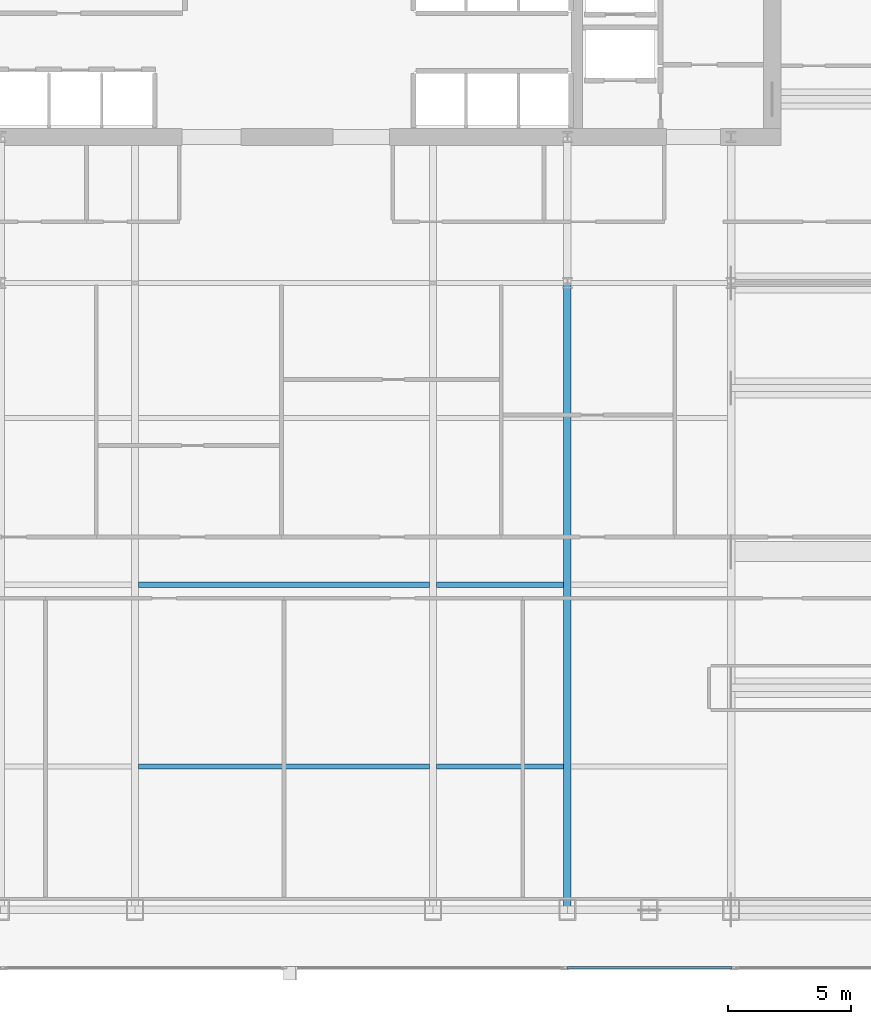
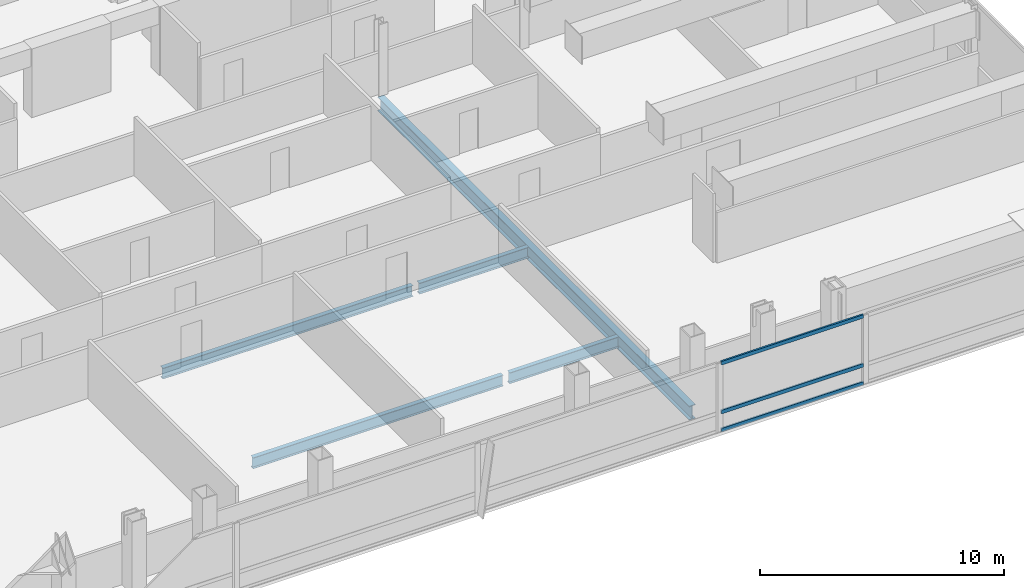
# One storey, part 13 of 30: 5 beams, 3 members, 1 element without a shape of its own.
"""IFC4 building model written with IfcOpenShell, lengths in metres."""

from ifc_helpers import new_model, si_unit, direction, frame, origin, origin_2d, place, context, subcontext, project, spatial, hollow_rectangle, i_section, extrude, material, material_profile, profile_set, type_object, element, aggregate, save


model = new_model("IFC4")

# Units and contexts
model_context = context("Model", 3, precision=1e-05, world=origin(), true_north=direction((0.0, 1.0)))
body_context = subcontext(model_context, "Body", "Model", "MODEL_VIEW")
ifc_project = project(units=[si_unit("LENGTHUNIT", "METRE"), si_unit("AREAUNIT", "SQUARE_METRE"), si_unit("VOLUMEUNIT", "CUBIC_METRE"), si_unit("PLANEANGLEUNIT", "RADIAN"), si_unit("MASSUNIT", "GRAM", prefix="KILO")], contexts=[model_context])

# Site, building, storey
site_placement = place(None, origin())
site = spatial("IfcSite", under=ifc_project, at=site_placement, CompositionType="ELEMENT")
building_placement = place(site_placement, origin())
building = spatial("IfcBuilding", under=site, at=building_placement, Name="Khoronbel Lancet Exchange", CompositionType="ELEMENT")
storey_placement = place(building_placement, frame((0.0, 0.0, 132.60009765625)))
storey = spatial("IfcBuildingStorey", under=building, at=storey_placement, Name="L32", CompositionType="ELEMENT", Elevation=132.60009765625)

# Beams
ifc_material_1 = material(Name="Steel S355", Category="steel")
ifc_material_profile_1 = material_profile(ifc_material_1, i_section(OverallWidth=0.300048828125, OverallDepth=0.699951171875, WebThickness=0.01708984375, FlangeThickness=0.031982421875, at=origin_2d()), Name="HEB 700")
ifc_profile_set_1 = profile_set([ifc_material_profile_1], Name="Steel S355")
beam_type_1 = type_object("IfcBeamType", Name="BM-BG3", PredefinedType="BEAM", material=ifc_profile_set_1)
beam_1_placement = place(storey_placement, frame((48.0, 10.14990234375, -0.510009765625), z_axis=(0.0, 1.0, 0.0), x_axis=(-1.0, 0.0, 0.0)))
element("IfcBeam", 1, at=beam_1_placement, inside=storey, type_object=beam_type_1, Name="Level L32 south primary girder GS5", PredefinedType="BEAM", context=body_context, shape_type="SweptSolid", body=[
    extrude(i_section(OverallWidth=0.300048828125, OverallDepth=0.699951171875, WebThickness=0.01708984375, FlangeThickness=0.031982421875, at=origin_2d()), origin(), (0.0, 0.0, 1.0), 25.550048828125),
])
ifc_material_profile_2 = material_profile(ifc_material_1, i_section(OverallWidth=0.2099609375, OverallDepth=0.550048828125, WebThickness=0.010986328125, FlangeThickness=0.01708984375, at=origin_2d()), Name="IPE 550")
ifc_profile_set_2 = profile_set([ifc_material_profile_2], Name="Steel S355")
beam_type_2 = type_object("IfcBeamType", Name="BM-BJ2", PredefinedType="JOIST", material=ifc_profile_set_2)
beam_2_placement = place(storey_placement, frame((30.52490234375, 16.0, -0.43505859375), z_axis=(1.0, 0.0, 0.0), x_axis=(0.0, 1.0, 0.0)))
element("IfcBeam", 2, at=beam_2_placement, inside=storey, type_object=beam_type_2, Name="Level L32 secondary composite joist J03", PredefinedType="JOIST", context=body_context, shape_type="SweptSolid", body=[
    extrude(i_section(OverallWidth=0.2099609375, OverallDepth=0.550048828125, WebThickness=0.010986328125, FlangeThickness=0.01708984375, at=origin_2d()), origin(), (0.0, 0.0, 1.0), 11.85009765625),
])
beam_3_placement = place(storey_placement, frame((42.675048828125, 16.0, -0.43505859375), z_axis=(1.0, 0.0, 0.0), x_axis=(0.0, 1.0, 0.0)))
element("IfcBeam", 3, at=beam_3_placement, inside=storey, type_object=beam_type_2, Name="Level L32 secondary composite joist J04", PredefinedType="JOIST", context=body_context, shape_type="SweptSolid", body=[
    extrude(i_section(OverallWidth=0.2099609375, OverallDepth=0.550048828125, WebThickness=0.010986328125, FlangeThickness=0.01708984375, at=origin_2d()), origin(), (0.0, 0.0, 1.0), 5.175048828125),
])
beam_4_placement = place(storey_placement, frame((30.52490234375, 23.39990234375, -0.43505859375), z_axis=(1.0, 0.0, 0.0), x_axis=(0.0, 1.0, 0.0)))
element("IfcBeam", 4, at=beam_4_placement, inside=storey, type_object=beam_type_2, Name="Level L32 secondary composite joist J08", PredefinedType="JOIST", context=body_context, shape_type="SweptSolid", body=[
    extrude(i_section(OverallWidth=0.2099609375, OverallDepth=0.550048828125, WebThickness=0.010986328125, FlangeThickness=0.01708984375, at=origin_2d()), origin(), (0.0, 0.0, 1.0), 11.85009765625),
])
beam_5_placement = place(storey_placement, frame((42.675048828125, 23.39990234375, -0.43505859375), z_axis=(1.0, 0.0, 0.0), x_axis=(0.0, 1.0, 0.0)))
element("IfcBeam", 5, at=beam_5_placement, inside=storey, type_object=beam_type_2, Name="Level L32 secondary composite joist J09", PredefinedType="JOIST", context=body_context, shape_type="SweptSolid", body=[
    extrude(i_section(OverallWidth=0.2099609375, OverallDepth=0.550048828125, WebThickness=0.010986328125, FlangeThickness=0.01708984375, at=origin_2d()), origin(), (0.0, 0.0, 1.0), 5.175048828125),
])

# Curtain wall, members
ifc_material_2 = material(Name="Low-E Solar Control Insulating Glass", Category="glass")
curtain_wall_type = type_object("IfcCurtainWallType", Name="CW-2", PredefinedType="NOTDEFINED", material=ifc_material_2)
curtain_wall_placement = place(storey_placement, origin())
curtain_wall = element("IfcCurtainWall", 6, at=curtain_wall_placement, inside=storey, type_object=curtain_wall_type, Name="Unitised curtain wall CW-L32-SEB", PredefinedType="NOTDEFINED")
ifc_material_3 = material(Name="Bronze-Anodised Aluminium 6063-T6", Category="aluminium")
ifc_material_profile_3 = material_profile(ifc_material_3, hollow_rectangle(XDim=0.0849609375, YDim=0.179931640625, WallThickness=0.0048828125, at=origin_2d()), Name="ALU TRANSOM 85x180")
ifc_profile_set_3 = profile_set([ifc_material_profile_3], Name="Bronze-Anodised Aluminium 6063-T6")
member_type = type_object("IfcMemberType", Name="MEM-CWT1", PredefinedType="USERDEFINED", material=ifc_profile_set_3)
member_1_placement = place(storey_placement, frame((47.985107421875, 7.7900390625, 0.04248046875), z_axis=(1.0, 0.0, 0.0), x_axis=(0.0, 1.0, 0.0)))
member_1 = element("IfcMember", 7, at=member_1_placement, type_object=member_type, Name="CW2 transom 1.1", ObjectType="TRANSOM", PredefinedType="USERDEFINED", context=body_context, shape_type="SweptSolid", body=[
    extrude(hollow_rectangle(XDim=0.0849609375, YDim=0.179931640625, WallThickness=0.0048828125, at=origin_2d()), origin(), (0.0, 0.0, 1.0), 6.72998046875),
])
member_2_placement = place(storey_placement, frame((47.985107421875, 7.7900390625, 0.949951171875), z_axis=(1.0, 0.0, 0.0), x_axis=(0.0, 1.0, 0.0)))
member_2 = element("IfcMember", 8, at=member_2_placement, type_object=member_type, Name="CW2 transom 1.2", ObjectType="TRANSOM", PredefinedType="USERDEFINED", context=body_context, shape_type="SweptSolid", body=[
    extrude(hollow_rectangle(XDim=0.0849609375, YDim=0.179931640625, WallThickness=0.0048828125, at=origin_2d()), origin(), (0.0, 0.0, 1.0), 6.72998046875),
])
member_3_placement = place(storey_placement, frame((47.985107421875, 7.7900390625, 3.3974609375), z_axis=(1.0, 0.0, 0.0), x_axis=(0.0, 1.0, 0.0)))
member_3 = element("IfcMember", 9, at=member_3_placement, type_object=member_type, Name="CW2 transom 1.3", ObjectType="TRANSOM", PredefinedType="USERDEFINED", context=body_context, shape_type="SweptSolid", body=[
    extrude(hollow_rectangle(XDim=0.0849609375, YDim=0.179931640625, WallThickness=0.0048828125, at=origin_2d()), origin(), (0.0, 0.0, 1.0), 6.72998046875),
])
aggregate(curtain_wall, [member_1, member_2, member_3])

save(model, "model.ifc")
